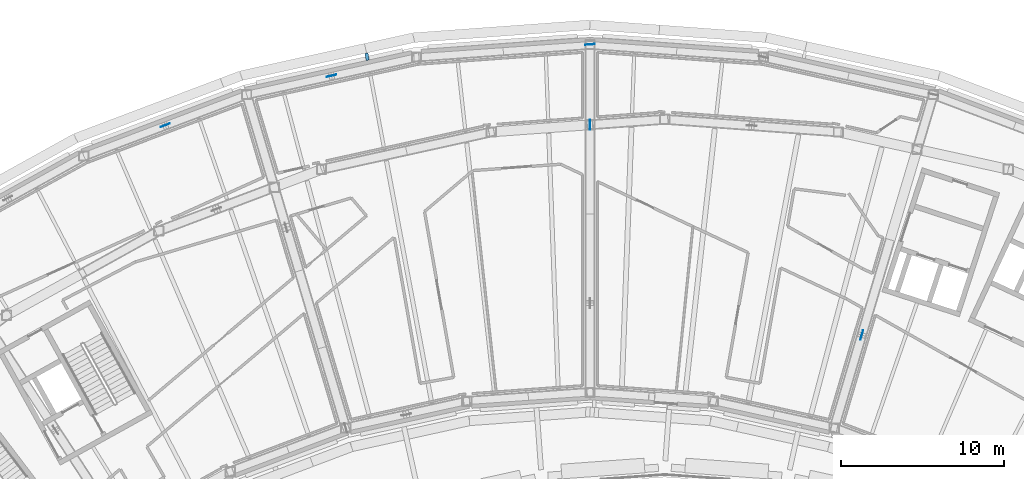
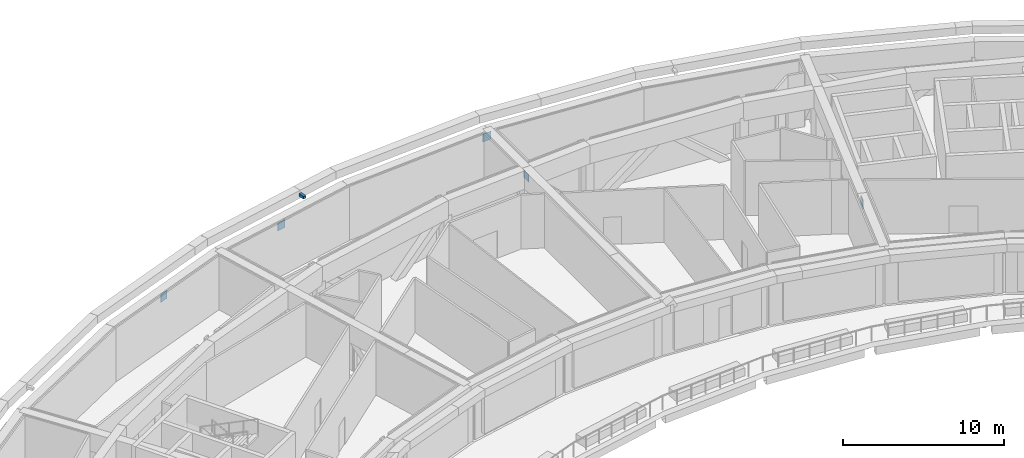
# One storey, part 15 of 24: 6 discrete accessories.
"""IFC4 building model written with IfcOpenShell, lengths in metres."""

from ifc_helpers import new_model, si_unit, direction, frame, origin, origin_2d, place, context, subcontext, project, spatial, rectangle, extrude, material, type_object, element, save


model = new_model("IFC4")

# Units and contexts
model_context = context("Model", 3, precision=1e-05, world=origin(), true_north=direction((0.0, 1.0)))
body_context = subcontext(model_context, "Body", "Model", "MODEL_VIEW")
ifc_project = project(units=[si_unit("LENGTHUNIT", "METRE"), si_unit("AREAUNIT", "SQUARE_METRE"), si_unit("VOLUMEUNIT", "CUBIC_METRE"), si_unit("PLANEANGLEUNIT", "RADIAN"), si_unit("MASSUNIT", "GRAM", prefix="KILO")], contexts=[model_context])

# Site, building, storey
site_placement = place(None, origin())
site = spatial("IfcSite", under=ifc_project, at=site_placement, CompositionType="ELEMENT")
building_placement = place(site_placement, origin())
building = spatial("IfcBuilding", under=site, at=building_placement, Name="Tuul Gate Civic Tower", CompositionType="ELEMENT")
storey_placement = place(building_placement, frame((0.0, 0.0, 315.199951171875)))
storey = spatial("IfcBuildingStorey", under=building, at=storey_placement, Name="Plant and refuge floor 7", CompositionType="ELEMENT", Elevation=315.199951171875)

# Discrete accessories
ifc_material_1 = material(Name="Steel S355", Category="steel")
discrete_accessory_type_1 = type_object("IfcDiscreteAccessoryType", Name="Gusset plate", PredefinedType="BRACKET", material=ifc_material_1)
for number, where, z_axis, x_axis, name in (
    (1, (2.190185546875, 8.89892578125, 3.103271484375), (0.0, 0.0, 1.0), (0.0, 1.0, 0.0), "Gusset plate"),
    (2, (18.874755859375, -4.00830078125, 3.10302734375), (0.0, 0.0, 1.0), (0.285224909945, 0.958460615126, 0.0), "Gusset plate"),
    (3, (-13.6708984375, 11.906982421875, 3.103271484375), (0.0, 0.0, 1.0), (0.976568946286, 0.215204770275, 0.0), "Gusset plate"),
    (4, (-23.87841796875, 8.8701171875, 3.103271484375), (0.0, 0.0, 1.0), (0.93537504025, 0.353657368194, 0.0), "Gusset plate"),
    (5, (2.19189453125, 13.828369140625, 3.103271484375), (0.0, 0.0, 1.0), (-0.997382544793, -0.072305320295, 0.0), "Gusset plate"),
):
    element("IfcDiscreteAccessory", number, at=place(storey_placement, frame(where, z_axis=z_axis, x_axis=x_axis)), inside=storey, type_object=discrete_accessory_type_1, Name=name, PredefinedType="BRACKET", context=body_context, shape_type="SweptSolid", body=[
        extrude(rectangle(XDim=0.60009765625, YDim=0.030029296875, at=origin_2d()), origin(), (0.0, 0.0, 1.0), 0.60009765625),
    ])
ifc_material_2 = material(Name="Stainless steel", Category="steel")
discrete_accessory_type_2 = type_object("IfcDiscreteAccessoryType", Name="Screen bracket", PredefinedType="BRACKET", material=ifc_material_2)
discrete_accessory_placement = place(storey_placement, frame((-11.489990234375, 13.079345703125, 4.05029296875), z_axis=(0.0, 0.0, 1.0), x_axis=(-0.183856994745, 0.982953002683, 0.0)))
element("IfcDiscreteAccessory", 6, at=discrete_accessory_placement, inside=storey, type_object=discrete_accessory_type_2, Name="Screen bracket 10", PredefinedType="BRACKET", context=body_context, shape_type="SweptSolid", body=[
    extrude(rectangle(XDim=0.4501953125, YDim=0.199951171875, at=origin_2d()), origin(), (0.0, 0.0, 1.0), 0.199951171875),
])

save(model, "model.ifc")
